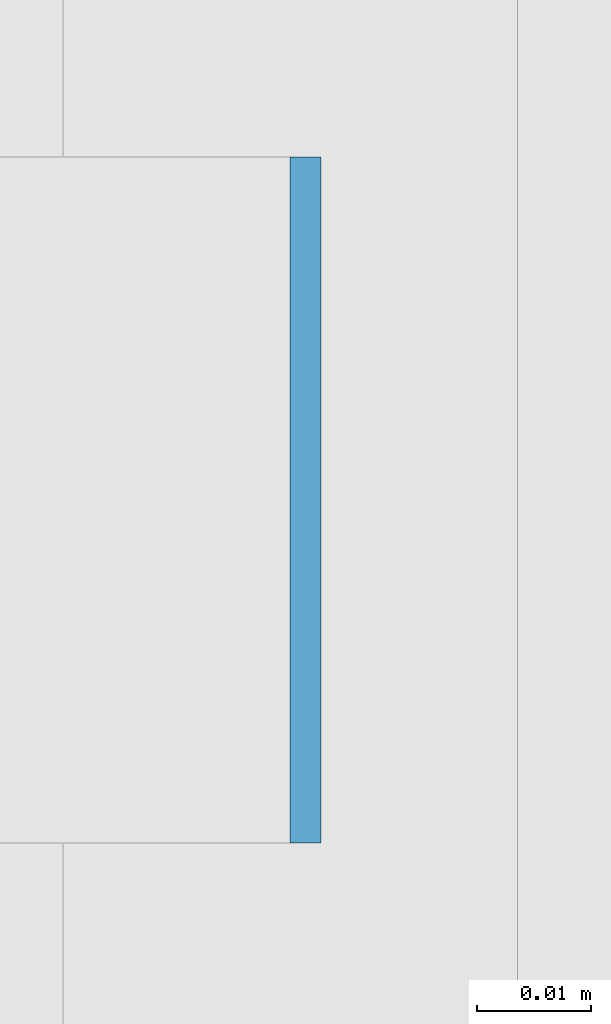
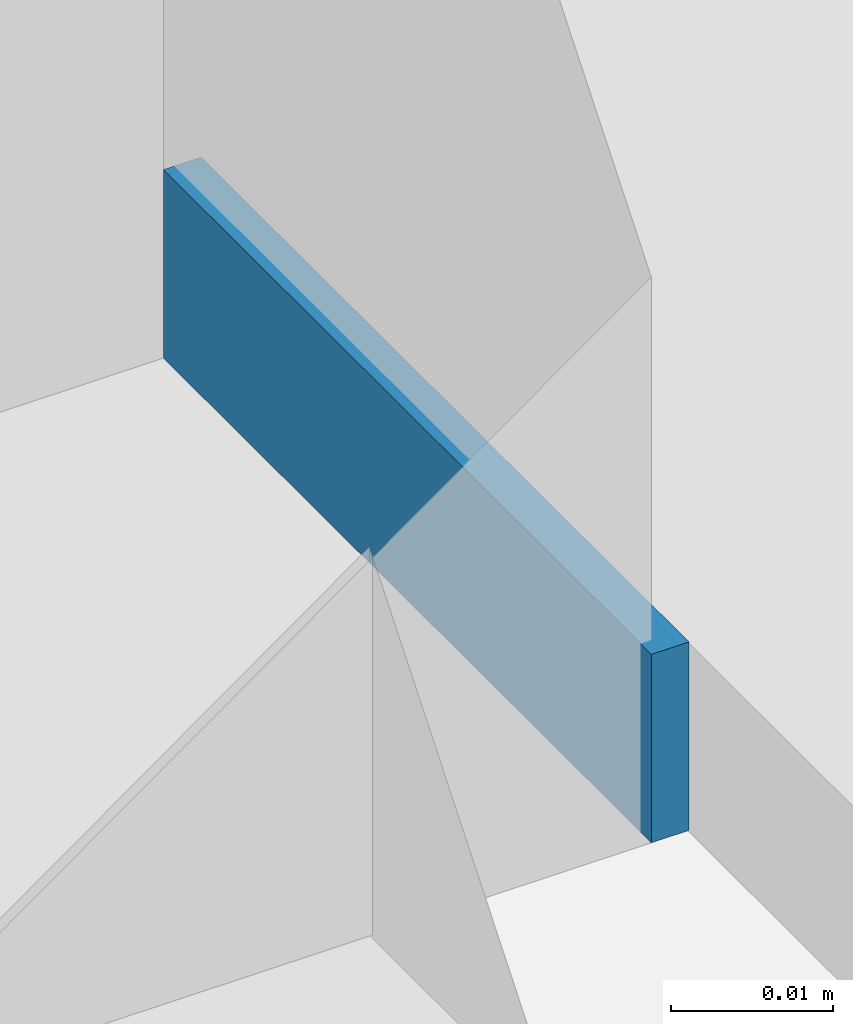
# One storey, part 408 of 646: 1 discrete accessory.
"""IFC4 building model written with IfcOpenShell, lengths in metres."""

from ifc_helpers import new_model, si_unit, direction, frame, origin, origin_2d, place, context, subcontext, project, spatial, rectangle, extrude, material, type_object, element, save


model = new_model("IFC4")

# Units and contexts
model_context = context("Model", 3, precision=1e-05, world=origin(), true_north=direction((0.0, 1.0)))
body_context = subcontext(model_context, "Body", "Model", "MODEL_VIEW")
ifc_project = project(units=[si_unit("LENGTHUNIT", "METRE"), si_unit("AREAUNIT", "SQUARE_METRE"), si_unit("VOLUMEUNIT", "CUBIC_METRE"), si_unit("PLANEANGLEUNIT", "RADIAN"), si_unit("MASSUNIT", "GRAM", prefix="KILO")], contexts=[model_context])

# Site, building, storey
site_placement = place(None, origin())
site = spatial("IfcSite", under=ifc_project, at=site_placement, CompositionType="ELEMENT")
building_placement = place(site_placement, origin())
building = spatial("IfcBuilding", under=site, at=building_placement, Name="Silverbay Arena", CompositionType="ELEMENT")
storey_placement = place(building_placement, frame((0.0, 0.0, 33.5)))
storey = spatial("IfcBuildingStorey", under=building, at=storey_placement, Name="L05", CompositionType="ELEMENT", Elevation=33.5)

# Discrete accessory
ifc_material = material(Name="Steel S355", Category="steel")
discrete_accessory_type = type_object("IfcDiscreteAccessoryType", Name="Steel bracket plate", PredefinedType="BRACKET", material=ifc_material)
discrete_accessory_placement = place(storey_placement, frame((53.871337890625, 123.428466796875, 4.0), z_axis=(0.0, 0.0, 1.0), x_axis=(1.0, 0.0, 0.0)))
element("IfcDiscreteAccessory", 1, at=discrete_accessory_placement, inside=storey, type_object=discrete_accessory_type, Name="Curtain wall packing plate", PredefinedType="BRACKET", context=body_context, shape_type="SweptSolid", body=[
    extrude(rectangle(XDim=0.002685546875, YDim=0.06005859375, at=origin_2d()), origin(), (0.0, 0.0, 1.0), 0.01416015625),
])

save(model, "model.ifc")
